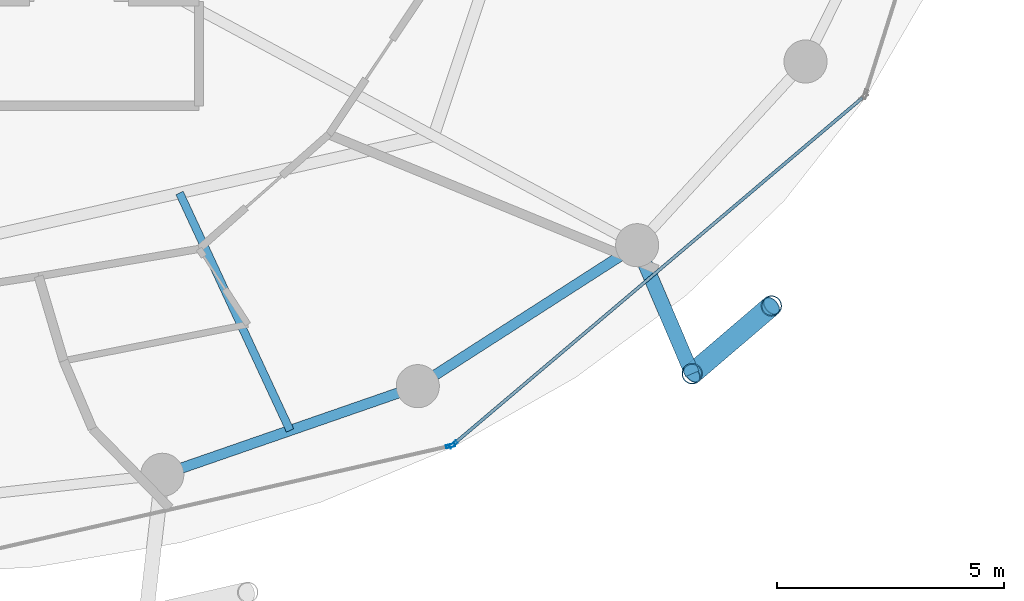
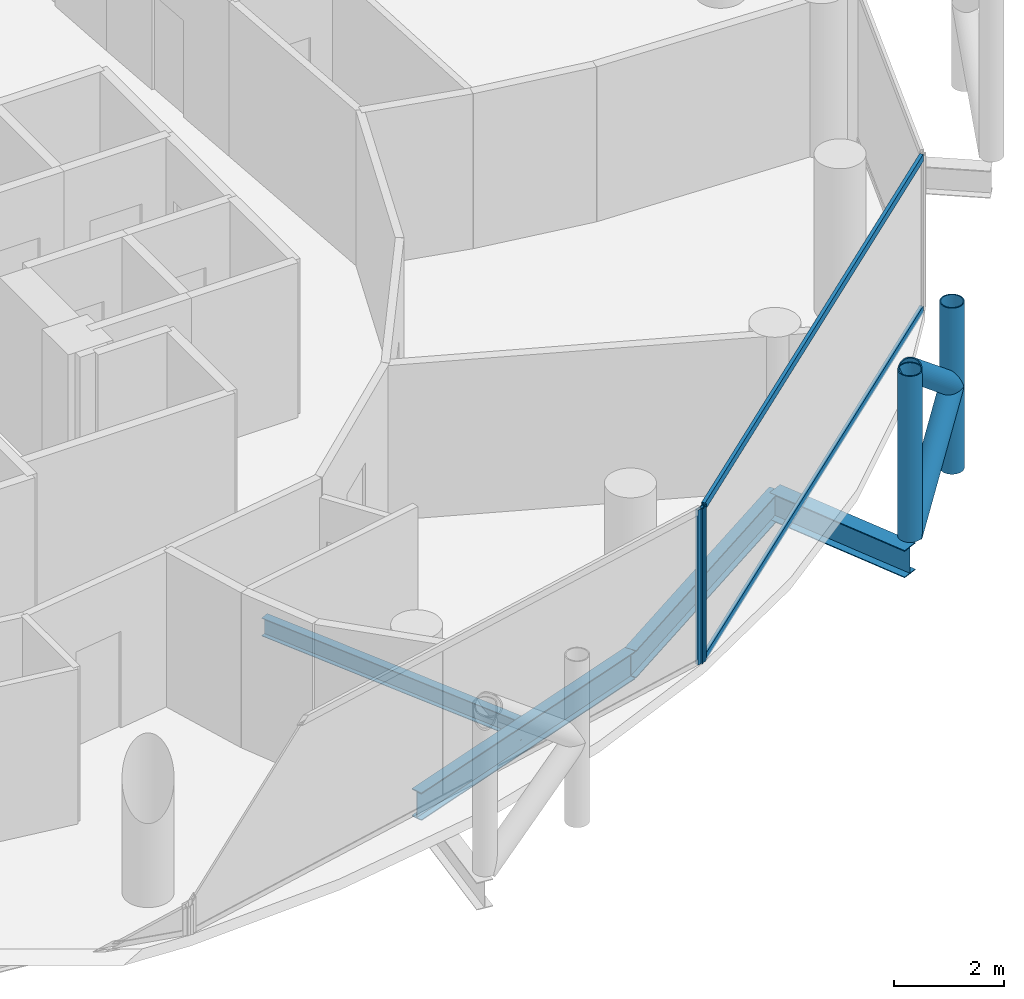
# One storey, part 8 of 26: 8 members, 4 beams, 2 elements without a shape of their own.
"""IFC4 building model written with IfcOpenShell, lengths in metres."""

from ifc_helpers import new_model, si_unit, direction, frame, origin, origin_2d, place, context, subcontext, project, spatial, hollow_rectangle, hollow_circle, i_section, extrude, material, layer, layer_set, material_profile, profile_set, type_object, element, aggregate, save


model = new_model("IFC4")

# Units and contexts
model_context = context("Model", 3, precision=1e-05, world=origin(), true_north=direction((0.0, 1.0)))
body_context = subcontext(model_context, "Body", "Model", "MODEL_VIEW")
ifc_project = project(units=[si_unit("LENGTHUNIT", "METRE"), si_unit("AREAUNIT", "SQUARE_METRE"), si_unit("VOLUMEUNIT", "CUBIC_METRE"), si_unit("PLANEANGLEUNIT", "RADIAN"), si_unit("MASSUNIT", "GRAM", prefix="KILO")], contexts=[model_context])

# Site, building, storey
site_placement = place(None, origin())
site = spatial("IfcSite", under=ifc_project, at=site_placement, CompositionType="ELEMENT")
building_placement = place(site_placement, origin())
building = spatial("IfcBuilding", under=site, at=building_placement, Name="Nuhasar Tower", CompositionType="ELEMENT")
storey_placement = place(building_placement, frame((0.0, 0.0, 121.949951171875)))
storey = spatial("IfcBuildingStorey", under=building, at=storey_placement, Name="L28", CompositionType="ELEMENT", Elevation=121.949951171875)

# Beams
ifc_material_1 = material(Name="Steel S355", Category="steel")
ifc_material_profile_1 = material_profile(ifc_material_1, i_section(OverallWidth=0.177978515625, OverallDepth=0.406005859375, WebThickness=0.0078125, FlangeThickness=0.0126953125, at=origin_2d()), Name="W16X40")
ifc_profile_set_1 = profile_set([ifc_material_profile_1], Name="Steel S355")
beam_type_1 = type_object("IfcBeamType", Name="BM-JST-W16X40", PredefinedType="JOIST", material=ifc_profile_set_1)
beam_1_placement = place(storey_placement, frame((45.424072265625, 14.1279296875, -0.452880859375), z_axis=(0.421729941201, -0.906721487941, 0.0), x_axis=(0.906721487941, 0.421729941201, 0.0)))
element("IfcBeam", 1, at=beam_1_placement, inside=storey, type_object=beam_type_1, Name="L28 Secondary Floor Joist 02", PredefinedType="JOIST", context=body_context, shape_type="SweptSolid", body=[
    extrude(i_section(OverallWidth=0.177978515625, OverallDepth=0.406005859375, WebThickness=0.0078125, FlangeThickness=0.0126953125, at=origin_2d()), origin(), (0.0, 0.0, 1.0), 5.7734375),
])
ifc_material_profile_2 = material_profile(ifc_material_1, i_section(OverallWidth=0.22998046875, OverallDepth=0.616943359375, WebThickness=0.01318359375, FlangeThickness=0.022216796875, at=origin_2d()), Name="W24X94")
ifc_profile_set_2 = profile_set([ifc_material_profile_2], Name="Steel S355")
beam_type_2 = type_object("IfcBeamType", Name="BM-RING-W24X94", PredefinedType="SPANDREL", material=ifc_profile_set_2)
beam_2_placement = place(storey_placement, frame((45.04296875, 7.916015625, -0.557861328125), z_axis=(0.944814057608, 0.327607076458, 0.0), x_axis=(-0.327607076458, 0.944814057608, 0.0)))
element("IfcBeam", 2, at=beam_2_placement, inside=storey, type_object=beam_type_2, Name="L28 Perimeter Ring Spandrel 20", PredefinedType="SPANDREL", context=body_context, shape_type="SweptSolid", body=[
    extrude(i_section(OverallWidth=0.22998046875, OverallDepth=0.616943359375, WebThickness=0.01318359375, FlangeThickness=0.022216796875, at=origin_2d()), origin(), (0.0, 0.0, 1.0), 5.9609375),
])
beam_3_placement = place(storey_placement, frame((50.675048828125, 9.868896484375, -0.557861328125), z_axis=(0.841308170616, 0.540555789955, 0.0), x_axis=(-0.540555789955, 0.841308170616, 0.0)))
element("IfcBeam", 3, at=beam_3_placement, inside=storey, type_object=beam_type_2, Name="L28 Perimeter Ring Spandrel 21", PredefinedType="SPANDREL", context=body_context, shape_type="SweptSolid", body=[
    extrude(i_section(OverallWidth=0.22998046875, OverallDepth=0.616943359375, WebThickness=0.01318359375, FlangeThickness=0.022216796875, at=origin_2d()), origin(), (0.0, 0.0, 1.0), 5.748046875),
])
ifc_material_profile_3 = material_profile(ifc_material_1, i_section(OverallWidth=0.323974609375, OverallDepth=0.611083984375, WebThickness=0.0126953125, FlangeThickness=0.01904296875, at=origin_2d()), Name="W24X104")
ifc_profile_set_3 = profile_set([ifc_material_profile_3], Name="Steel S355")
beam_type_3 = type_object("IfcBeamType", Name="BM-TIE-W24X104", PredefinedType="BEAM", material=ifc_profile_set_3)
beam_4_placement = place(storey_placement, frame((55.510986328125, 12.97607421875, -0.554931640625), z_axis=(0.39330721304, -0.919407111225, 0.0), x_axis=(0.919407111225, 0.39330721304, 0.0)))
element("IfcBeam", 4, at=beam_4_placement, inside=storey, type_object=beam_type_3, Name="L28 Exoskeleton Node Tie Beam 11", PredefinedType="BEAM", context=body_context, shape_type="SweptSolid", body=[
    extrude(i_section(OverallWidth=0.323974609375, OverallDepth=0.611083984375, WebThickness=0.0126953125, FlangeThickness=0.01904296875, at=origin_2d()), origin(), (0.0, 0.0, 1.0), 3.081298828125),
])

# Curtain wall, member
ifc_material_2 = material(Name="Aluminium 6063-T6", Category="aluminium")
ifc_layer = layer(ifc_material_2, 0.199951171875)
ifc_layer_set = layer_set([ifc_layer], Name="Aluminium 6063-T6")
curtain_wall_type = type_object("IfcCurtainWallType", Name="CW-Z2-HTL", PredefinedType="NOTDEFINED", material=ifc_layer_set)
curtain_wall_1_placement = place(storey_placement, origin())
curtain_wall_1 = element("IfcCurtainWall", 5, at=curtain_wall_1_placement, inside=storey, type_object=curtain_wall_type, Name="L28 Unitised Curtain Wall 10", PredefinedType="NOTDEFINED")
ifc_material_profile_4 = material_profile(ifc_material_2, hollow_rectangle(XDim=0.070068359375, YDim=0.199951171875, WallThickness=0.0048828125, at=origin_2d()), Name="CWM-3")
ifc_profile_set_4 = profile_set([ifc_material_profile_4], Name="Aluminium 6063-T6")
member_type_1 = type_object("IfcMemberType", Name="CW-MUL-S3", PredefinedType="MULLION", material=ifc_profile_set_4)
member_1_placement = place(storey_placement, frame((51.395751953125, 8.55419921875, 0.0), z_axis=(0.0, 0.0, 1.0), x_axis=(-0.22139729566, 0.975183694221, 0.0)))
member_1 = element("IfcMember", 6, at=member_1_placement, type_object=member_type_1, Name="CW-Z2 mullion 2", PredefinedType="MULLION", context=body_context, shape_type="SweptSolid", body=[
    extrude(hollow_rectangle(XDim=0.070068359375, YDim=0.199951171875, WallThickness=0.0048828125, at=origin_2d()), origin(), (0.0, 0.0, 1.0), 3.449951171875),
])
aggregate(curtain_wall_1, [member_1])

# Curtain wall, members
curtain_wall_2_placement = place(storey_placement, origin())
curtain_wall_2 = element("IfcCurtainWall", 7, at=curtain_wall_2_placement, inside=storey, type_object=curtain_wall_type, Name="L28 Unitised Curtain Wall 11", PredefinedType="NOTDEFINED")
member_2_placement = place(storey_placement, frame((51.456787109375, 8.584716796875, 0.0), z_axis=(0.0, 0.0, 1.0), x_axis=(-0.646374438324, 0.763020370292, 0.0)))
member_2 = element("IfcMember", 8, at=member_2_placement, type_object=member_type_1, Name="CW-Z2 mullion 1", PredefinedType="MULLION", context=body_context, shape_type="SweptSolid", body=[
    extrude(hollow_rectangle(XDim=0.070068359375, YDim=0.199951171875, WallThickness=0.0048828125, at=origin_2d()), origin(), (0.0, 0.0, 1.0), 3.449951171875),
])
ifc_material_profile_5 = material_profile(ifc_material_2, hollow_rectangle(XDim=0.070068359375, YDim=0.159912109375, WallThickness=0.00439453125, at=origin_2d()), Name="CWT-3")
ifc_profile_set_5 = profile_set([ifc_material_profile_5], Name="Aluminium 6063-T6")
member_type_2 = type_object("IfcMemberType", Name="CW-TRN-S3", PredefinedType="USERDEFINED", material=ifc_profile_set_5)
member_3_placement = place(storey_placement, frame((51.4833984375, 8.607177734375, 0.03515625), z_axis=(0.763013698099, 0.646382314511, 0.0), x_axis=(-0.646382314511, 0.763013698099, 0.0)))
member_3 = element("IfcMember", 9, at=member_3_placement, type_object=member_type_2, Name="CW-Z2 transom 1.1", ObjectType="TRANSOM", PredefinedType="USERDEFINED", context=body_context, shape_type="SweptSolid", body=[
    extrude(hollow_rectangle(XDim=0.070068359375, YDim=0.159912109375, WallThickness=0.00439453125, at=origin_2d()), origin(), (0.0, 0.0, 1.0), 11.78515625),
])
member_4_placement = place(storey_placement, frame((51.4833984375, 8.607177734375, 3.4150390625), z_axis=(0.763013698099, 0.646382314511, 0.0), x_axis=(-0.646382314511, 0.763013698099, 0.0)))
member_4 = element("IfcMember", 10, at=member_4_placement, type_object=member_type_2, Name="CW-Z2 transom 1.2", ObjectType="TRANSOM", PredefinedType="USERDEFINED", context=body_context, shape_type="SweptSolid", body=[
    extrude(hollow_rectangle(XDim=0.070068359375, YDim=0.159912109375, WallThickness=0.00439453125, at=origin_2d()), origin(), (0.0, 0.0, 1.0), 11.78515625),
])
aggregate(curtain_wall_2, [member_2, member_3, member_4])

# Members
ifc_material_3 = material(Name="Steel S460", Category="steel")
ifc_material_profile_6 = material_profile(ifc_material_3, hollow_circle(Radius=0.228515625, WallThickness=0.022216796875, at=origin_2d()), Name="HSS457X22.2")
ifc_profile_set_6 = profile_set([ifc_material_profile_6], Name="Steel S460")
member_type_3 = type_object("IfcMemberType", Name="EXO-BRONZE-457", PredefinedType="BRACE", material=ifc_profile_set_6)
for number, where, z_axis, x_axis, name in (
    (11, (56.722900390625, 10.14306640625, 0.0), (0.0, 0.0, 1.0), (1.0, 0.0, 0.0), "L28 Exoskeleton Chord Column EC-11A"),
    (12, (58.470947265625, 11.637939453125, 0.0), (0.0, 0.0, 1.0), (1.0, 0.0, 0.0), "L28 Exoskeleton Chord Column EC-11B"),
):
    element("IfcMember", number, at=place(storey_placement, frame(where, z_axis=z_axis, x_axis=x_axis)), inside=storey, type_object=member_type_3, Name=name, PredefinedType="BRACE", context=body_context, shape_type="SweptSolid", body=[
        extrude(hollow_circle(Radius=0.228515625, WallThickness=0.022216796875, at=origin_2d()), origin(), (0.0, 0.0, 1.0), 3.699951171875),
    ])
member_5_placement = place(storey_placement, frame((56.722900390625, 10.14306640625, 0.0), z_axis=(0.592195175458, 0.506426125604, 0.626767463634), x_axis=(-0.649925557156, 0.7599978751, 0.0)))
element("IfcMember", 13, at=member_5_placement, inside=storey, type_object=member_type_3, Name="L28 Bronze Diagrid Brace W1-11", PredefinedType="BRACE", context=body_context, shape_type="SweptSolid", body=[
    extrude(hollow_circle(Radius=0.228515625, WallThickness=0.022216796875, at=origin_2d()), origin(), (0.0, 0.0, 1.0), 2.951904296875),
])
member_6_placement = place(storey_placement, frame((58.470947265625, 11.637939453125, 1.85009765625), z_axis=(-0.592225874743, -0.506452378638, 0.626717242029), x_axis=(0.649925557156, -0.7599978751, 0.0)))
element("IfcMember", 14, at=member_6_placement, inside=storey, type_object=member_type_3, Name="L28 Bronze Diagrid Brace W2-11", PredefinedType="BRACE", context=body_context, shape_type="SweptSolid", body=[
    extrude(hollow_circle(Radius=0.228515625, WallThickness=0.022216796875, at=origin_2d()), origin(), (0.0, 0.0, 1.0), 2.95166015625),
])

save(model, "model.ifc")
